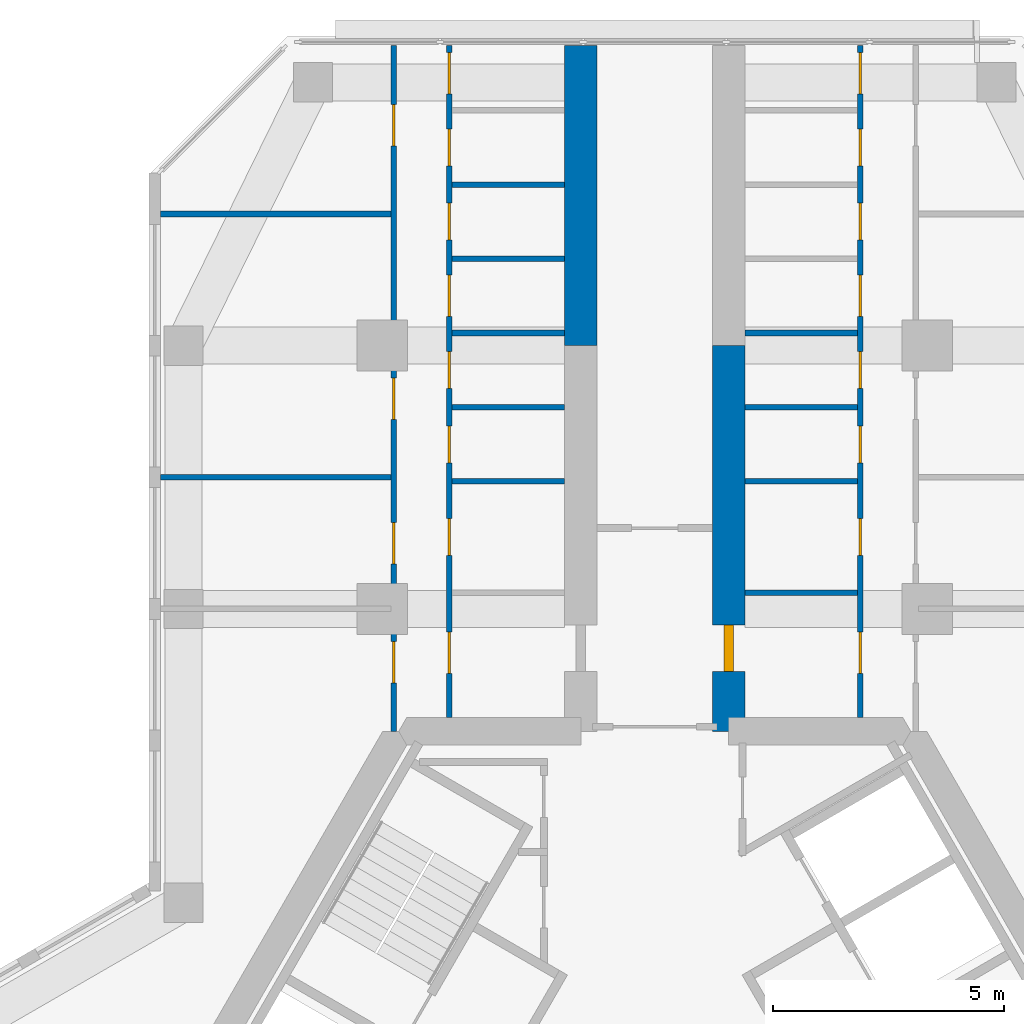
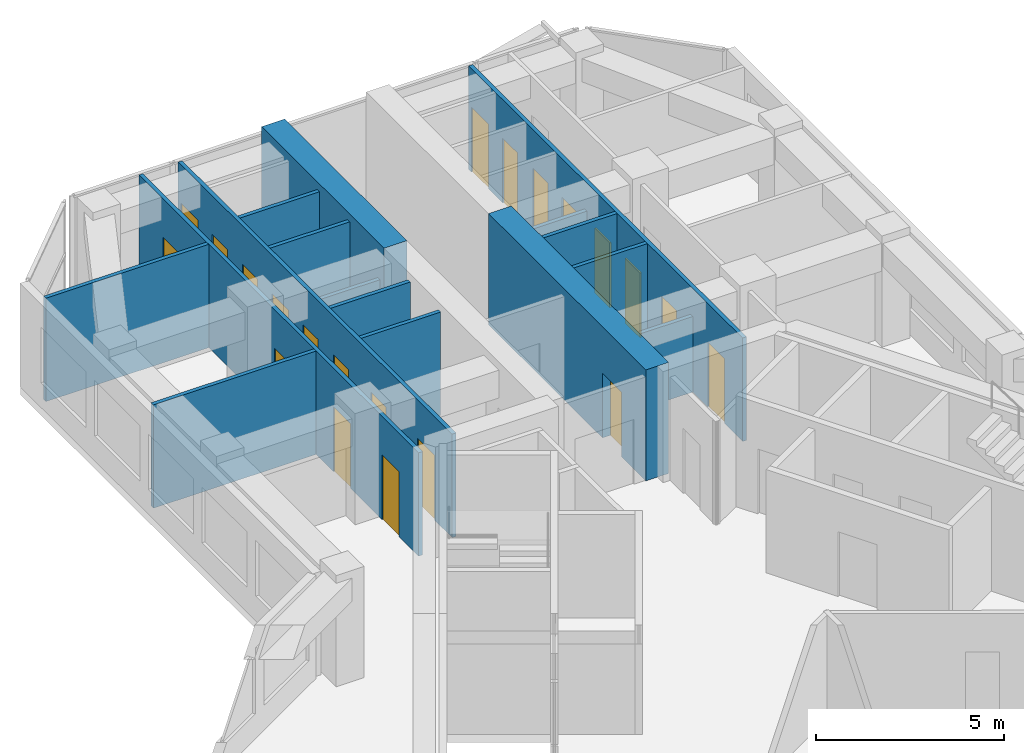
# One storey, part 14 of 16: 21 doors, 16 walls, 21 openings.
"""IFC4 building model written with IfcOpenShell, lengths in metres."""

from ifc_helpers import new_model, si_unit, direction, frame, frame_2d, origin, place, context, subcontext, project, spatial, rectangle, extrude, material, layer, layer_set, type_object, element, fill, save


model = new_model("IFC4")

# Units and contexts
model_context = context("Model", 3, precision=1e-05, world=origin(), true_north=direction((0.0, 1.0)))
body_context = subcontext(model_context, "Body", "Model", "MODEL_VIEW")
ifc_project = project(units=[si_unit("LENGTHUNIT", "METRE"), si_unit("AREAUNIT", "SQUARE_METRE"), si_unit("VOLUMEUNIT", "CUBIC_METRE"), si_unit("PLANEANGLEUNIT", "RADIAN"), si_unit("MASSUNIT", "GRAM", prefix="KILO")], contexts=[model_context])

# Site, building, storey
site_placement = place(None, origin())
site = spatial("IfcSite", under=ifc_project, at=site_placement, CompositionType="ELEMENT")
building_placement = place(site_placement, origin())
building = spatial("IfcBuilding", under=site, at=building_placement, Name="Kosmar Iwan School Tower", CompositionType="ELEMENT")
storey_placement = place(building_placement, frame((0.0, 0.0, 235.199951171875)))
storey = spatial("IfcBuildingStorey", under=building, at=storey_placement, Name="L59", CompositionType="ELEMENT", Elevation=235.199951171875)

# Wall
ifc_material_1 = material(Name="Concrete C50/60", Category="concrete")
ifc_layer_1 = layer(ifc_material_1, 0.699951171875)
ifc_layer_set_1 = layer_set([ifc_layer_1], Name="Corridor buttress wall 700")
wall_type_1 = type_object("IfcWallType", Name="Corridor buttress wall 700", PredefinedType="SHEAR", material=ifc_layer_set_1)
wall_1_placement = place(storey_placement, frame((-1.60009765625, 17.949951171875, 0.0), z_axis=(0.0, 0.0, 1.0), x_axis=(0.0, 1.0, 0.0)))
element("IfcWall", 1, at=wall_1_placement, inside=storey, type_object=wall_type_1, Name="Corridor wall AL bay 2", PredefinedType="SHEAR", context=body_context, shape_type="SweptSolid", body=[
    extrude(rectangle(XDim=6.4951171875, YDim=0.699951171875, at=frame_2d((3.24755859375, 0.0))), origin(), (0.0, 0.0, 1.0), 3.60009765625),
])

# Wall, opening, door
wall_2_placement = place(storey_placement, frame((1.60009765625, 9.60009765625, 0.0), z_axis=(0.0, 0.0, 1.0), x_axis=(0.0, 1.0, 0.0)))
wall_2 = element("IfcWall", 2, at=wall_2_placement, inside=storey, type_object=wall_type_1, Name="Corridor wall AR", PredefinedType="SHEAR", context=body_context, shape_type="SweptSolid", body=[
    extrude(rectangle(XDim=8.349853515625, YDim=0.699951171875, at=frame_2d((4.1748046875, 0.0))), origin(), (0.0, 0.0, 1.0), 3.60009765625),
])
opening_1_placement = place(wall_2_placement, frame((1.300048828125, 0.0, 0.0)))
opening_1 = element("IfcOpeningElement", 3, at=opening_1_placement, cuts=wall_2, Name="Opening D1", PredefinedType="OPENING", context=body_context, shape_type="SweptSolid", body=[
    extrude(rectangle(XDim=1.0, YDim=2.10009765625, at=frame_2d((0.5, 1.050048828125))), frame((0.0, 0.362060546875, 0.0), z_axis=(0.0, -1.0, 0.0), x_axis=(1.0, 0.0, 0.0)), (0.0, 0.0, 1.0), 0.723876953125),
])
ifc_material_2 = material(Name="Timber fire door in steel frame", Category="steel")
door_type_1 = type_object("IfcDoorType", Name="Flat entrance door 1000x2100", OperationType="SINGLE_SWING_LEFT", PredefinedType="DOOR", material=ifc_material_2)
door_1_placement = place(opening_1_placement, origin())
door_1 = element("IfcDoor", 4, at=door_1_placement, inside=storey, type_object=door_type_1, Name="Flat L59-AR1 entrance door", OperationType="SINGLE_SWING_LEFT", OverallHeight=2.10009765625, OverallWidth=1.0, PredefinedType="DOOR", context=body_context, shape_type="SweptSolid", body=[
    extrude(rectangle(XDim=1.0, YDim=2.10009765625, at=frame_2d((0.5, 1.050048828125))), frame((0.0, 0.10009765625, 0.0), z_axis=(0.0, -1.0, 0.0), x_axis=(1.0, 0.0, 0.0)), (0.0, 0.0, 1.0), 0.199951171875),
])
fill(opening_1, door_1)

# Wall, openings, doors
ifc_material_3 = material(Name="Gypsum board on steel studs", Category="steel")
ifc_layer_2 = layer(ifc_material_3, 0.1201171875)
ifc_layer_set_2 = layer_set([ifc_layer_2], Name="Dwelling partition 120")
wall_type_2 = type_object("IfcWallType", Name="Dwelling partition 120", PredefinedType="PARTITIONING", material=ifc_layer_set_2)
wall_3_placement = place(storey_placement, frame((-4.449951171875, 9.89990234375, 0.0), z_axis=(0.0, 0.0, 1.0), x_axis=(0.0, 1.0, 0.0)))
wall_3 = element("IfcWall", 5, at=wall_3_placement, inside=storey, type_object=wall_type_2, Name="Partition L59-AL1-W1", PredefinedType="PARTITIONING", context=body_context, shape_type="SweptSolid", body=[
    extrude(rectangle(XDim=14.545166015625, YDim=0.1201171875, at=frame_2d((7.2724609375, 0.0))), origin(), (0.0, 0.0, 1.0), 3.35009765625),
])
opening_2_placement = place(wall_3_placement, frame((0.949951171875, 0.0, 0.0)))
opening_2 = element("IfcOpeningElement", 6, at=opening_2_placement, cuts=wall_3, Name="Opening D2", PredefinedType="OPENING", context=body_context, shape_type="SweptSolid", body=[
    extrude(rectangle(XDim=0.89990234375, YDim=2.10009765625, at=frame_2d((0.449951171875, 1.050048828125))), frame((0.0, 0.072021484375, 0.0), z_axis=(0.0, -1.0, 0.0), x_axis=(1.0, 0.0, 0.0)), (0.0, 0.0, 1.0), 0.14404296875),
])
opening_3_placement = place(wall_3_placement, frame((3.505126953125, 0.0, 0.0)))
opening_3 = element("IfcOpeningElement", 7, at=opening_3_placement, cuts=wall_3, Name="Opening D3", PredefinedType="OPENING", context=body_context, shape_type="SweptSolid", body=[
    extrude(rectangle(XDim=0.800048828125, YDim=2.10009765625, at=frame_2d((0.39990234375, 1.050048828125))), frame((0.0, 0.072021484375, 0.0), z_axis=(0.0, -1.0, 0.0), x_axis=(1.0, 0.0, 0.0)), (0.0, 0.0, 1.0), 0.14404296875),
])
opening_4_placement = place(wall_3_placement, frame((5.513427734375, 0.0, 0.0)))
opening_4 = element("IfcOpeningElement", 8, at=opening_4_placement, cuts=wall_3, Name="Opening D3", PredefinedType="OPENING", context=body_context, shape_type="SweptSolid", body=[
    extrude(rectangle(XDim=0.800048828125, YDim=2.10009765625, at=frame_2d((0.39990234375, 1.050048828125))), frame((0.0, 0.072021484375, 0.0), z_axis=(0.0, -1.0, 0.0), x_axis=(1.0, 0.0, 0.0)), (0.0, 0.0, 1.0), 0.14404296875),
])
opening_5_placement = place(wall_3_placement, frame((7.1201171875, 0.0, 0.0)))
opening_5 = element("IfcOpeningElement", 9, at=opening_5_placement, cuts=wall_3, Name="Opening D3", PredefinedType="OPENING", context=body_context, shape_type="SweptSolid", body=[
    extrude(rectangle(XDim=0.800048828125, YDim=2.10009765625, at=frame_2d((0.39990234375, 1.050048828125))), frame((0.0, 0.072021484375, 0.0), z_axis=(0.0, -1.0, 0.0), x_axis=(1.0, 0.0, 0.0)), (0.0, 0.0, 1.0), 0.14404296875),
])
opening_6_placement = place(wall_3_placement, frame((8.6767578125, 0.0, 0.0)))
opening_6 = element("IfcOpeningElement", 10, at=opening_6_placement, cuts=wall_3, Name="Opening D2", PredefinedType="OPENING", context=body_context, shape_type="SweptSolid", body=[
    extrude(rectangle(XDim=0.89990234375, YDim=2.10009765625, at=frame_2d((0.449951171875, 1.050048828125))), frame((0.0, 0.072021484375, 0.0), z_axis=(0.0, -1.0, 0.0), x_axis=(1.0, 0.0, 0.0)), (0.0, 0.0, 1.0), 0.14404296875),
])
opening_7_placement = place(wall_3_placement, frame((10.333251953125, 0.0, 0.0)))
opening_7 = element("IfcOpeningElement", 11, at=opening_7_placement, cuts=wall_3, Name="Opening D3", PredefinedType="OPENING", context=body_context, shape_type="SweptSolid", body=[
    extrude(rectangle(XDim=0.800048828125, YDim=2.10009765625, at=frame_2d((0.39990234375, 1.050048828125))), frame((0.0, 0.072021484375, 0.0), z_axis=(0.0, -1.0, 0.0), x_axis=(1.0, 0.0, 0.0)), (0.0, 0.0, 1.0), 0.14404296875),
])
opening_8_placement = place(wall_3_placement, frame((11.93994140625, 0.0, 0.0)))
opening_8 = element("IfcOpeningElement", 12, at=opening_8_placement, cuts=wall_3, Name="Opening D3", PredefinedType="OPENING", context=body_context, shape_type="SweptSolid", body=[
    extrude(rectangle(XDim=0.800048828125, YDim=2.10009765625, at=frame_2d((0.39990234375, 1.050048828125))), frame((0.0, 0.072021484375, 0.0), z_axis=(0.0, -1.0, 0.0), x_axis=(1.0, 0.0, 0.0)), (0.0, 0.0, 1.0), 0.14404296875),
])
opening_9_placement = place(wall_3_placement, frame((13.49658203125, 0.0, 0.0)))
opening_9 = element("IfcOpeningElement", 13, at=opening_9_placement, cuts=wall_3, Name="Opening D2", PredefinedType="OPENING", context=body_context, shape_type="SweptSolid", body=[
    extrude(rectangle(XDim=0.89990234375, YDim=2.10009765625, at=frame_2d((0.449951171875, 1.050048828125))), frame((0.0, 0.072021484375, 0.0), z_axis=(0.0, -1.0, 0.0), x_axis=(1.0, 0.0, 0.0)), (0.0, 0.0, 1.0), 0.14404296875),
])
ifc_material_4 = material(Name="Timber door in timber frame", Category="wood")
door_type_2 = type_object("IfcDoorType", Name="Internal door 900x2100", OperationType="SINGLE_SWING_LEFT", PredefinedType="DOOR", material=ifc_material_4)
door_2_placement = place(opening_2_placement, origin())
door_2 = element("IfcDoor", 14, at=door_2_placement, inside=storey, type_object=door_type_2, Name="Entrance hall door L59-AL1-S1", OperationType="SINGLE_SWING_LEFT", OverallHeight=2.10009765625, OverallWidth=0.89990234375, PredefinedType="DOOR", context=body_context, shape_type="SweptSolid", body=[
    extrude(rectangle(XDim=0.89990234375, YDim=2.10009765625, at=frame_2d((0.449951171875, 1.050048828125))), frame((0.0, 0.02490234375, 0.0), z_axis=(0.0, -1.0, 0.0), x_axis=(1.0, 0.0, 0.0)), (0.0, 0.0, 1.0), 0.050048828125),
])
fill(opening_2, door_2)
door_3_placement = place(opening_6_placement, origin())
door_3 = element("IfcDoor", 15, at=door_3_placement, inside=storey, type_object=door_type_2, Name="Pantry door L59-AL1-S5", OperationType="SINGLE_SWING_RIGHT", OverallHeight=2.10009765625, OverallWidth=0.89990234375, PredefinedType="DOOR", context=body_context, shape_type="SweptSolid", body=[
    extrude(rectangle(XDim=0.89990234375, YDim=2.10009765625, at=frame_2d((0.449951171875, 1.050048828125))), frame((0.0, 0.02490234375, 0.0), z_axis=(0.0, -1.0, 0.0), x_axis=(1.0, 0.0, 0.0)), (0.0, 0.0, 1.0), 0.050048828125),
])
fill(opening_6, door_3)
door_4_placement = place(opening_9_placement, origin())
door_4 = element("IfcDoor", 16, at=door_4_placement, inside=storey, type_object=door_type_2, Name="Utility room door L59-AL1-S8", OperationType="SINGLE_SWING_RIGHT", OverallHeight=2.10009765625, OverallWidth=0.89990234375, PredefinedType="DOOR", context=body_context, shape_type="SweptSolid", body=[
    extrude(rectangle(XDim=0.89990234375, YDim=2.10009765625, at=frame_2d((0.449951171875, 1.050048828125))), frame((0.0, 0.02490234375, 0.0), z_axis=(0.0, -1.0, 0.0), x_axis=(1.0, 0.0, 0.0)), (0.0, 0.0, 1.0), 0.050048828125),
])
fill(opening_9, door_4)
ifc_material_5 = material(Name="Timber door in timber frame", Category="wood")
door_type_3 = type_object("IfcDoorType", Name="Sanitary room door 800x2100", OperationType="SINGLE_SWING_LEFT", PredefinedType="DOOR", material=ifc_material_5)
door_5_placement = place(opening_3_placement, origin())
door_5 = element("IfcDoor", 17, at=door_5_placement, inside=storey, type_object=door_type_3, Name="Bathroom door L59-AL1-S2", OperationType="SINGLE_SWING_LEFT", OverallHeight=2.10009765625, OverallWidth=0.800048828125, PredefinedType="DOOR", context=body_context, shape_type="SweptSolid", body=[
    extrude(rectangle(XDim=0.800048828125, YDim=2.10009765625, at=frame_2d((0.39990234375, 1.050048828125))), frame((0.0, 0.02490234375, 0.0), z_axis=(0.0, -1.0, 0.0), x_axis=(1.0, 0.0, 0.0)), (0.0, 0.0, 1.0), 0.050048828125),
])
fill(opening_3, door_5)
door_6_placement = place(opening_4_placement, origin())
door_6 = element("IfcDoor", 18, at=door_6_placement, inside=storey, type_object=door_type_3, Name="Grandparents' shower room door L59-AL1-S3", OperationType="SINGLE_SWING_LEFT", OverallHeight=2.10009765625, OverallWidth=0.800048828125, PredefinedType="DOOR", context=body_context, shape_type="SweptSolid", body=[
    extrude(rectangle(XDim=0.800048828125, YDim=2.10009765625, at=frame_2d((0.39990234375, 1.050048828125))), frame((0.0, 0.02490234375, 0.0), z_axis=(0.0, -1.0, 0.0), x_axis=(1.0, 0.0, 0.0)), (0.0, 0.0, 1.0), 0.050048828125),
])
fill(opening_4, door_6)
door_7_placement = place(opening_5_placement, origin())
door_7 = element("IfcDoor", 19, at=door_7_placement, inside=storey, type_object=door_type_3, Name="Shower room door L59-AL1-S4", OperationType="SINGLE_SWING_RIGHT", OverallHeight=2.10009765625, OverallWidth=0.800048828125, PredefinedType="DOOR", context=body_context, shape_type="SweptSolid", body=[
    extrude(rectangle(XDim=0.800048828125, YDim=2.10009765625, at=frame_2d((0.39990234375, 1.050048828125))), frame((0.0, 0.02490234375, 0.0), z_axis=(0.0, -1.0, 0.0), x_axis=(1.0, 0.0, 0.0)), (0.0, 0.0, 1.0), 0.050048828125),
])
fill(opening_5, door_7)
door_8_placement = place(opening_7_placement, origin())
door_8 = element("IfcDoor", 20, at=door_8_placement, inside=storey, type_object=door_type_3, Name="WC door L59-AL1-S6", OperationType="SINGLE_SWING_RIGHT", OverallHeight=2.10009765625, OverallWidth=0.800048828125, PredefinedType="DOOR", context=body_context, shape_type="SweptSolid", body=[
    extrude(rectangle(XDim=0.800048828125, YDim=2.10009765625, at=frame_2d((0.39990234375, 1.050048828125))), frame((0.0, 0.02490234375, 0.0), z_axis=(0.0, -1.0, 0.0), x_axis=(1.0, 0.0, 0.0)), (0.0, 0.0, 1.0), 0.050048828125),
])
fill(opening_7, door_8)
door_9_placement = place(opening_8_placement, origin())
door_9 = element("IfcDoor", 21, at=door_9_placement, inside=storey, type_object=door_type_3, Name="Store door L59-AL1-S7", OperationType="SINGLE_SWING_RIGHT", OverallHeight=2.10009765625, OverallWidth=0.800048828125, PredefinedType="DOOR", context=body_context, shape_type="SweptSolid", body=[
    extrude(rectangle(XDim=0.800048828125, YDim=2.10009765625, at=frame_2d((0.39990234375, 1.050048828125))), frame((0.0, 0.02490234375, 0.0), z_axis=(0.0, -1.0, 0.0), x_axis=(1.0, 0.0, 0.0)), (0.0, 0.0, 1.0), 0.050048828125),
])
fill(opening_8, door_9)

wall_4_placement = place(storey_placement, frame((-5.64990234375, 9.60009765625, 0.0), z_axis=(0.0, 0.0, 1.0), x_axis=(0.0, 1.0, 0.0)))
wall_4 = element("IfcWall", 22, at=wall_4_placement, inside=storey, type_object=wall_type_2, Name="Partition L59-AL1-W2", PredefinedType="PARTITIONING", context=body_context, shape_type="SweptSolid", body=[
    extrude(rectangle(XDim=14.844970703125, YDim=0.1201171875, at=frame_2d((7.42236328125, 0.0))), origin(), (0.0, 0.0, 1.0), 3.35009765625),
])
opening_10_placement = place(wall_4_placement, frame((1.050048828125, 0.0, 0.0)))
opening_10 = element("IfcOpeningElement", 23, at=opening_10_placement, cuts=wall_4, Name="Opening D2", PredefinedType="OPENING", context=body_context, shape_type="SweptSolid", body=[
    extrude(rectangle(XDim=0.89990234375, YDim=2.10009765625, at=frame_2d((0.449951171875, 1.050048828125))), frame((0.0, 0.072021484375, 0.0), z_axis=(0.0, -1.0, 0.0), x_axis=(1.0, 0.0, 0.0)), (0.0, 0.0, 1.0), 0.14404296875),
])
opening_11_placement = place(wall_4_placement, frame((3.625, 0.0, 0.0)))
opening_11 = element("IfcOpeningElement", 24, at=opening_11_placement, cuts=wall_4, Name="Opening D2", PredefinedType="OPENING", context=body_context, shape_type="SweptSolid", body=[
    extrude(rectangle(XDim=0.89990234375, YDim=2.10009765625, at=frame_2d((0.449951171875, 1.050048828125))), frame((0.0, 0.072021484375, 0.0), z_axis=(0.0, -1.0, 0.0), x_axis=(1.0, 0.0, 0.0)), (0.0, 0.0, 1.0), 0.14404296875),
])
opening_12_placement = place(wall_4_placement, frame((6.75, 0.0, 0.0)))
opening_12 = element("IfcOpeningElement", 25, at=opening_12_placement, cuts=wall_4, Name="Opening D2", PredefinedType="OPENING", context=body_context, shape_type="SweptSolid", body=[
    extrude(rectangle(XDim=0.89990234375, YDim=2.10009765625, at=frame_2d((0.449951171875, 1.050048828125))), frame((0.0, 0.072021484375, 0.0), z_axis=(0.0, -1.0, 0.0), x_axis=(1.0, 0.0, 0.0)), (0.0, 0.0, 1.0), 0.14404296875),
])
opening_13_placement = place(wall_4_placement, frame((12.675048828125, 0.0, 0.0)))
opening_13 = element("IfcOpeningElement", 26, at=opening_13_placement, cuts=wall_4, Name="Opening D2", PredefinedType="OPENING", context=body_context, shape_type="SweptSolid", body=[
    extrude(rectangle(XDim=0.89990234375, YDim=2.10009765625, at=frame_2d((0.449951171875, 1.050048828125))), frame((0.0, 0.072021484375, 0.0), z_axis=(0.0, -1.0, 0.0), x_axis=(1.0, 0.0, 0.0)), (0.0, 0.0, 1.0), 0.14404296875),
])
door_10_placement = place(opening_10_placement, origin())
door_10 = element("IfcDoor", 27, at=door_10_placement, inside=storey, type_object=door_type_2, Name="Bedroom 1 door L59-AL1-F1", OperationType="SINGLE_SWING_LEFT", OverallHeight=2.10009765625, OverallWidth=0.89990234375, PredefinedType="DOOR", context=body_context, shape_type="SweptSolid", body=[
    extrude(rectangle(XDim=0.89990234375, YDim=2.10009765625, at=frame_2d((0.449951171875, 1.050048828125))), frame((0.0, 0.02490234375, 0.0), z_axis=(0.0, -1.0, 0.0), x_axis=(1.0, 0.0, 0.0)), (0.0, 0.0, 1.0), 0.050048828125),
])
fill(opening_10, door_10)
door_11_placement = place(opening_11_placement, origin())
door_11 = element("IfcDoor", 28, at=door_11_placement, inside=storey, type_object=door_type_2, Name="Study door L59-AL1-F2", OperationType="SINGLE_SWING_RIGHT", OverallHeight=2.10009765625, OverallWidth=0.89990234375, PredefinedType="DOOR", context=body_context, shape_type="SweptSolid", body=[
    extrude(rectangle(XDim=0.89990234375, YDim=2.10009765625, at=frame_2d((0.449951171875, 1.050048828125))), frame((0.0, 0.02490234375, 0.0), z_axis=(0.0, -1.0, 0.0), x_axis=(1.0, 0.0, 0.0)), (0.0, 0.0, 1.0), 0.050048828125),
])
fill(opening_11, door_11)
door_12_placement = place(opening_12_placement, origin())
door_12 = element("IfcDoor", 29, at=door_12_placement, inside=storey, type_object=door_type_2, Name="Living room and kitchen door L59-AL1-F3", OperationType="SINGLE_SWING_LEFT", OverallHeight=2.10009765625, OverallWidth=0.89990234375, PredefinedType="DOOR", context=body_context, shape_type="SweptSolid", body=[
    extrude(rectangle(XDim=0.89990234375, YDim=2.10009765625, at=frame_2d((0.449951171875, 1.050048828125))), frame((0.0, 0.02490234375, 0.0), z_axis=(0.0, -1.0, 0.0), x_axis=(1.0, 0.0, 0.0)), (0.0, 0.0, 1.0), 0.050048828125),
])
fill(opening_12, door_12)
door_13_placement = place(opening_13_placement, origin())
door_13 = element("IfcDoor", 30, at=door_13_placement, inside=storey, type_object=door_type_2, Name="Grandparents' suite door L59-AL1-F4", OperationType="SINGLE_SWING_RIGHT", OverallHeight=2.10009765625, OverallWidth=0.89990234375, PredefinedType="DOOR", context=body_context, shape_type="SweptSolid", body=[
    extrude(rectangle(XDim=0.89990234375, YDim=2.10009765625, at=frame_2d((0.449951171875, 1.050048828125))), frame((0.0, 0.02490234375, 0.0), z_axis=(0.0, -1.0, 0.0), x_axis=(1.0, 0.0, 0.0)), (0.0, 0.0, 1.0), 0.050048828125),
])
fill(opening_13, door_13)

# Walls
for number, where, z_axis, x_axis, name in (
    (31, (-5.7099609375, 15.10009765625, 0.0), (0.0, 0.0, 1.0), (-1.0, 0.0, 0.0), "Partition L59-AL1-X2"),
    (32, (-5.7099609375, 20.800048828125, 0.0), (0.0, 0.0, 1.0), (-1.0, 0.0, 0.0), "Partition L59-AL1-X3"),
):
    element("IfcWall", number, at=place(storey_placement, frame(where, z_axis=z_axis, x_axis=x_axis)), inside=storey, type_object=wall_type_2, Name=name, PredefinedType="PARTITIONING", context=body_context, shape_type="SweptSolid", body=[
        extrude(rectangle(XDim=4.989990234375, YDim=0.1201171875, at=frame_2d((2.4951171875, 0.0))), origin(), (0.0, 0.0, 1.0), 3.35009765625),
    ])
for number, where, z_axis, x_axis, name in (
    (33, (-1.949951171875, 15.010009765625, 0.0), (0.0, 0.0, 1.0), (-1.0, 0.0, 0.0), "Partition L59-AL1-Y2"),
    (34, (-1.949951171875, 16.61669921875, 0.0), (0.0, 0.0, 1.0), (-1.0, 0.0, 0.0), "Partition L59-AL1-Y3"),
):
    element("IfcWall", number, at=place(storey_placement, frame(where, z_axis=z_axis, x_axis=x_axis)), inside=storey, type_object=wall_type_2, Name=name, PredefinedType="PARTITIONING", context=body_context, shape_type="SweptSolid", body=[
        extrude(rectangle(XDim=2.43994140625, YDim=0.1201171875, at=frame_2d((1.219970703125, 0.0))), origin(), (0.0, 0.0, 1.0), 3.35009765625),
    ])
wall_5_placement = place(storey_placement, frame((-1.949951171875, 18.223388671875, 0.0), z_axis=(0.0, 0.0, 1.0), x_axis=(-1.0, 0.0, 0.0)))
element("IfcWall", 35, at=wall_5_placement, inside=storey, type_object=wall_type_2, Name="Partition L59-AL1-Y4", PredefinedType="PARTITIONING", context=body_context, shape_type="SweptSolid", body=[
    extrude(rectangle(XDim=2.43994140625, YDim=0.1201171875, at=frame_2d((1.219970703125, 0.0))), origin(), (0.0, 0.0, 1.0), 2.449951171875),
])
for number, where, z_axis, x_axis, name in (
    (36, (-1.949951171875, 19.830078125, 0.0), (0.0, 0.0, 1.0), (-1.0, 0.0, 0.0), "Partition L59-AL1-Y5"),
    (37, (-1.949951171875, 21.436767578125, 0.0), (0.0, 0.0, 1.0), (-1.0, 0.0, 0.0), "Partition L59-AL1-Y6"),
):
    element("IfcWall", number, at=place(storey_placement, frame(where, z_axis=z_axis, x_axis=x_axis)), inside=storey, type_object=wall_type_2, Name=name, PredefinedType="PARTITIONING", context=body_context, shape_type="SweptSolid", body=[
        extrude(rectangle(XDim=2.43994140625, YDim=0.1201171875, at=frame_2d((1.219970703125, 0.0))), origin(), (0.0, 0.0, 1.0), 3.35009765625),
    ])

# Wall, openings, doors
wall_6_placement = place(storey_placement, frame((4.449951171875, 9.89990234375, 0.0), z_axis=(0.0, 0.0, 1.0), x_axis=(0.0, 1.0, 0.0)))
wall_6 = element("IfcWall", 38, at=wall_6_placement, inside=storey, type_object=wall_type_2, Name="Partition L59-AR1-W1", PredefinedType="PARTITIONING", context=body_context, shape_type="SweptSolid", body=[
    extrude(rectangle(XDim=14.545166015625, YDim=0.1201171875, at=frame_2d((7.2724609375, 0.0))), origin(), (0.0, 0.0, 1.0), 3.35009765625),
])
opening_14_placement = place(wall_6_placement, frame((0.949951171875, 0.0, 0.0)))
opening_14 = element("IfcOpeningElement", 39, at=opening_14_placement, cuts=wall_6, Name="Opening D2", PredefinedType="OPENING", context=body_context, shape_type="SweptSolid", body=[
    extrude(rectangle(XDim=0.89990234375, YDim=2.10009765625, at=frame_2d((0.449951171875, 1.050048828125))), frame((0.0, 0.072021484375, 0.0), z_axis=(0.0, -1.0, 0.0), x_axis=(1.0, 0.0, 0.0)), (0.0, 0.0, 1.0), 0.14404296875),
])
opening_15_placement = place(wall_6_placement, frame((3.505126953125, 0.0, 0.0)))
opening_15 = element("IfcOpeningElement", 40, at=opening_15_placement, cuts=wall_6, Name="Opening D3", PredefinedType="OPENING", context=body_context, shape_type="SweptSolid", body=[
    extrude(rectangle(XDim=0.800048828125, YDim=2.10009765625, at=frame_2d((0.39990234375, 1.050048828125))), frame((0.0, 0.072021484375, 0.0), z_axis=(0.0, -1.0, 0.0), x_axis=(1.0, 0.0, 0.0)), (0.0, 0.0, 1.0), 0.14404296875),
])
opening_16_placement = place(wall_6_placement, frame((5.513427734375, 0.0, 0.0)))
opening_16 = element("IfcOpeningElement", 41, at=opening_16_placement, cuts=wall_6, Name="Opening D3", PredefinedType="OPENING", context=body_context, shape_type="SweptSolid", body=[
    extrude(rectangle(XDim=0.800048828125, YDim=2.10009765625, at=frame_2d((0.39990234375, 1.050048828125))), frame((0.0, 0.072021484375, 0.0), z_axis=(0.0, -1.0, 0.0), x_axis=(1.0, 0.0, 0.0)), (0.0, 0.0, 1.0), 0.14404296875),
])
opening_17_placement = place(wall_6_placement, frame((7.1201171875, 0.0, 0.0)))
opening_17 = element("IfcOpeningElement", 42, at=opening_17_placement, cuts=wall_6, Name="Opening D3", PredefinedType="OPENING", context=body_context, shape_type="SweptSolid", body=[
    extrude(rectangle(XDim=0.800048828125, YDim=2.10009765625, at=frame_2d((0.39990234375, 1.050048828125))), frame((0.0, 0.072021484375, 0.0), z_axis=(0.0, -1.0, 0.0), x_axis=(1.0, 0.0, 0.0)), (0.0, 0.0, 1.0), 0.14404296875),
])
opening_18_placement = place(wall_6_placement, frame((8.6767578125, 0.0, 0.0)))
opening_18 = element("IfcOpeningElement", 43, at=opening_18_placement, cuts=wall_6, Name="Opening D2", PredefinedType="OPENING", context=body_context, shape_type="SweptSolid", body=[
    extrude(rectangle(XDim=0.89990234375, YDim=2.10009765625, at=frame_2d((0.449951171875, 1.050048828125))), frame((0.0, 0.072021484375, 0.0), z_axis=(0.0, -1.0, 0.0), x_axis=(1.0, 0.0, 0.0)), (0.0, 0.0, 1.0), 0.14404296875),
])
opening_19_placement = place(wall_6_placement, frame((10.333251953125, 0.0, 0.0)))
opening_19 = element("IfcOpeningElement", 44, at=opening_19_placement, cuts=wall_6, Name="Opening D3", PredefinedType="OPENING", context=body_context, shape_type="SweptSolid", body=[
    extrude(rectangle(XDim=0.800048828125, YDim=2.10009765625, at=frame_2d((0.39990234375, 1.050048828125))), frame((0.0, 0.072021484375, 0.0), z_axis=(0.0, -1.0, 0.0), x_axis=(1.0, 0.0, 0.0)), (0.0, 0.0, 1.0), 0.14404296875),
])
opening_20_placement = place(wall_6_placement, frame((11.93994140625, 0.0, 0.0)))
opening_20 = element("IfcOpeningElement", 45, at=opening_20_placement, cuts=wall_6, Name="Opening D3", PredefinedType="OPENING", context=body_context, shape_type="SweptSolid", body=[
    extrude(rectangle(XDim=0.800048828125, YDim=2.10009765625, at=frame_2d((0.39990234375, 1.050048828125))), frame((0.0, 0.072021484375, 0.0), z_axis=(0.0, -1.0, 0.0), x_axis=(1.0, 0.0, 0.0)), (0.0, 0.0, 1.0), 0.14404296875),
])
opening_21_placement = place(wall_6_placement, frame((13.49658203125, 0.0, 0.0)))
opening_21 = element("IfcOpeningElement", 46, at=opening_21_placement, cuts=wall_6, Name="Opening D2", PredefinedType="OPENING", context=body_context, shape_type="SweptSolid", body=[
    extrude(rectangle(XDim=0.89990234375, YDim=2.10009765625, at=frame_2d((0.449951171875, 1.050048828125))), frame((0.0, 0.072021484375, 0.0), z_axis=(0.0, -1.0, 0.0), x_axis=(1.0, 0.0, 0.0)), (0.0, 0.0, 1.0), 0.14404296875),
])
door_14_placement = place(opening_14_placement, origin())
door_14 = element("IfcDoor", 47, at=door_14_placement, inside=storey, type_object=door_type_2, Name="Entrance hall door L59-AR1-S1", OperationType="SINGLE_SWING_LEFT", OverallHeight=2.10009765625, OverallWidth=0.89990234375, PredefinedType="DOOR", context=body_context, shape_type="SweptSolid", body=[
    extrude(rectangle(XDim=0.89990234375, YDim=2.10009765625, at=frame_2d((0.449951171875, 1.050048828125))), frame((0.0, 0.02490234375, 0.0), z_axis=(0.0, -1.0, 0.0), x_axis=(1.0, 0.0, 0.0)), (0.0, 0.0, 1.0), 0.050048828125),
])
fill(opening_14, door_14)
door_15_placement = place(opening_18_placement, origin())
door_15 = element("IfcDoor", 48, at=door_15_placement, inside=storey, type_object=door_type_2, Name="Pantry door L59-AR1-S5", OperationType="SINGLE_SWING_LEFT", OverallHeight=2.10009765625, OverallWidth=0.89990234375, PredefinedType="DOOR", context=body_context, shape_type="SweptSolid", body=[
    extrude(rectangle(XDim=0.89990234375, YDim=2.10009765625, at=frame_2d((0.449951171875, 1.050048828125))), frame((0.0, 0.02490234375, 0.0), z_axis=(0.0, -1.0, 0.0), x_axis=(1.0, 0.0, 0.0)), (0.0, 0.0, 1.0), 0.050048828125),
])
fill(opening_18, door_15)
door_16_placement = place(opening_21_placement, origin())
door_16 = element("IfcDoor", 49, at=door_16_placement, inside=storey, type_object=door_type_2, Name="Utility room door L59-AR1-S8", OperationType="SINGLE_SWING_RIGHT", OverallHeight=2.10009765625, OverallWidth=0.89990234375, PredefinedType="DOOR", context=body_context, shape_type="SweptSolid", body=[
    extrude(rectangle(XDim=0.89990234375, YDim=2.10009765625, at=frame_2d((0.449951171875, 1.050048828125))), frame((0.0, 0.02490234375, 0.0), z_axis=(0.0, -1.0, 0.0), x_axis=(1.0, 0.0, 0.0)), (0.0, 0.0, 1.0), 0.050048828125),
])
fill(opening_21, door_16)
door_17_placement = place(opening_15_placement, origin())
door_17 = element("IfcDoor", 50, at=door_17_placement, inside=storey, type_object=door_type_3, Name="Bathroom door L59-AR1-S2", OperationType="SINGLE_SWING_RIGHT", OverallHeight=2.10009765625, OverallWidth=0.800048828125, PredefinedType="DOOR", context=body_context, shape_type="SweptSolid", body=[
    extrude(rectangle(XDim=0.800048828125, YDim=2.10009765625, at=frame_2d((0.39990234375, 1.050048828125))), frame((0.0, 0.02490234375, 0.0), z_axis=(0.0, -1.0, 0.0), x_axis=(1.0, 0.0, 0.0)), (0.0, 0.0, 1.0), 0.050048828125),
])
fill(opening_15, door_17)
door_18_placement = place(opening_16_placement, origin())
door_18 = element("IfcDoor", 51, at=door_18_placement, inside=storey, type_object=door_type_3, Name="Grandparents' shower room door L59-AR1-S3", OperationType="SINGLE_SWING_LEFT", OverallHeight=2.10009765625, OverallWidth=0.800048828125, PredefinedType="DOOR", context=body_context, shape_type="SweptSolid", body=[
    extrude(rectangle(XDim=0.800048828125, YDim=2.10009765625, at=frame_2d((0.39990234375, 1.050048828125))), frame((0.0, 0.02490234375, 0.0), z_axis=(0.0, -1.0, 0.0), x_axis=(1.0, 0.0, 0.0)), (0.0, 0.0, 1.0), 0.050048828125),
])
fill(opening_16, door_18)
door_19_placement = place(opening_17_placement, origin())
door_19 = element("IfcDoor", 52, at=door_19_placement, inside=storey, type_object=door_type_3, Name="Shower room door L59-AR1-S4", OperationType="SINGLE_SWING_RIGHT", OverallHeight=2.10009765625, OverallWidth=0.800048828125, PredefinedType="DOOR", context=body_context, shape_type="SweptSolid", body=[
    extrude(rectangle(XDim=0.800048828125, YDim=2.10009765625, at=frame_2d((0.39990234375, 1.050048828125))), frame((0.0, 0.02490234375, 0.0), z_axis=(0.0, -1.0, 0.0), x_axis=(1.0, 0.0, 0.0)), (0.0, 0.0, 1.0), 0.050048828125),
])
fill(opening_17, door_19)
door_20_placement = place(opening_19_placement, origin())
door_20 = element("IfcDoor", 53, at=door_20_placement, inside=storey, type_object=door_type_3, Name="WC door L59-AR1-S6", OperationType="SINGLE_SWING_RIGHT", OverallHeight=2.10009765625, OverallWidth=0.800048828125, PredefinedType="DOOR", context=body_context, shape_type="SweptSolid", body=[
    extrude(rectangle(XDim=0.800048828125, YDim=2.10009765625, at=frame_2d((0.39990234375, 1.050048828125))), frame((0.0, 0.02490234375, 0.0), z_axis=(0.0, -1.0, 0.0), x_axis=(1.0, 0.0, 0.0)), (0.0, 0.0, 1.0), 0.050048828125),
])
fill(opening_19, door_20)
door_21_placement = place(opening_20_placement, origin())
door_21 = element("IfcDoor", 54, at=door_21_placement, inside=storey, type_object=door_type_3, Name="Store door L59-AR1-S7", OperationType="SINGLE_SWING_LEFT", OverallHeight=2.10009765625, OverallWidth=0.800048828125, PredefinedType="DOOR", context=body_context, shape_type="SweptSolid", body=[
    extrude(rectangle(XDim=0.800048828125, YDim=2.10009765625, at=frame_2d((0.39990234375, 1.050048828125))), frame((0.0, 0.02490234375, 0.0), z_axis=(0.0, -1.0, 0.0), x_axis=(1.0, 0.0, 0.0)), (0.0, 0.0, 1.0), 0.050048828125),
])
fill(opening_20, door_21)

# Walls
wall_7_placement = place(storey_placement, frame((1.949951171875, 12.60009765625, 0.0), z_axis=(0.0, 0.0, 1.0), x_axis=(1.0, 0.0, 0.0)))
element("IfcWall", 55, at=wall_7_placement, inside=storey, type_object=wall_type_2, Name="Partition L59-AR1-Y1", PredefinedType="PARTITIONING", context=body_context, shape_type="SweptSolid", body=[
    extrude(rectangle(XDim=2.43994140625, YDim=0.1201171875, at=frame_2d((1.219970703125, 0.0))), origin(), (0.0, 0.0, 1.0), 2.449951171875),
])
for number, where, z_axis, x_axis, name in (
    (56, (1.949951171875, 15.010009765625, 0.0), (0.0, 0.0, 1.0), (1.0, 0.0, 0.0), "Partition L59-AR1-Y2"),
    (57, (1.949951171875, 16.61669921875, 0.0), (0.0, 0.0, 1.0), (1.0, 0.0, 0.0), "Partition L59-AR1-Y3"),
):
    element("IfcWall", number, at=place(storey_placement, frame(where, z_axis=z_axis, x_axis=x_axis)), inside=storey, type_object=wall_type_2, Name=name, PredefinedType="PARTITIONING", context=body_context, shape_type="SweptSolid", body=[
        extrude(rectangle(XDim=2.43994140625, YDim=0.1201171875, at=frame_2d((1.219970703125, 0.0))), origin(), (0.0, 0.0, 1.0), 3.35009765625),
    ])
wall_8_placement = place(storey_placement, frame((1.949951171875, 18.223388671875, 0.0), z_axis=(0.0, 0.0, 1.0), x_axis=(1.0, 0.0, 0.0)))
element("IfcWall", 58, at=wall_8_placement, inside=storey, type_object=wall_type_2, Name="Partition L59-AR1-Y4", PredefinedType="PARTITIONING", context=body_context, shape_type="SweptSolid", body=[
    extrude(rectangle(XDim=2.43994140625, YDim=0.1201171875, at=frame_2d((1.219970703125, 0.0))), origin(), (0.0, 0.0, 1.0), 2.449951171875),
])

save(model, "model.ifc")
